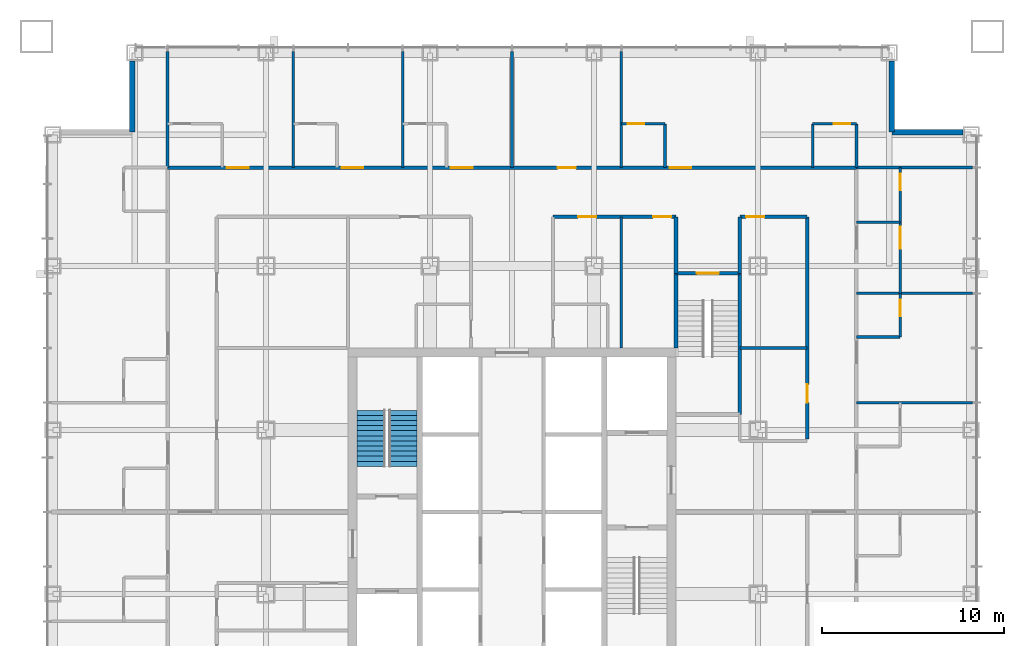
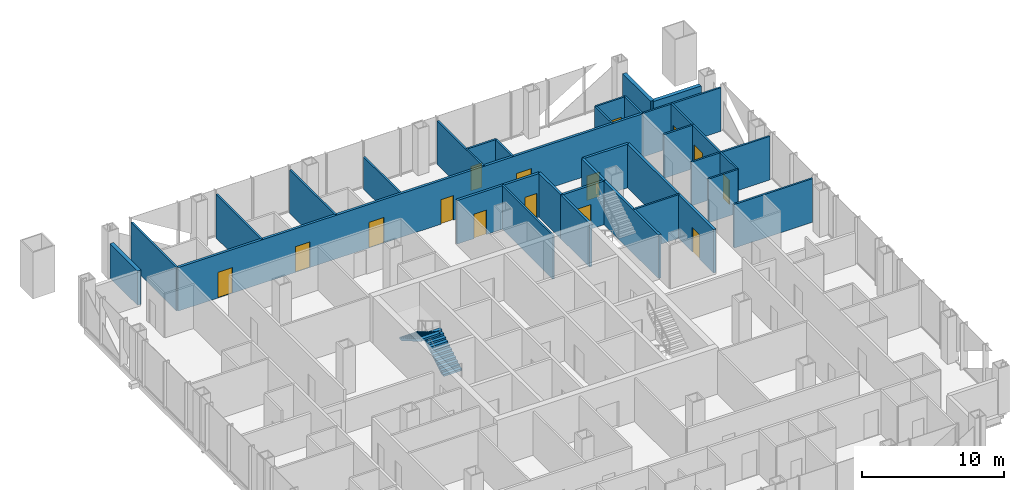
# One storey, part 11 of 17: 32 walls, 15 doors, 2 stair flights, 15 openings, 1 element without a shape of its own.
"""IFC4 building model written with IfcOpenShell, lengths in metres."""

from ifc_helpers import new_model, si_unit, direction, frame, frame_2d, origin, place, context, subcontext, project, spatial, polyline, rectangle, outline, extrude, material, layer, layer_set, type_object, element, fill, aggregate, save


model = new_model("IFC4")

# Units and contexts
model_context = context("Model", 3, precision=1e-05, world=origin(), true_north=direction((0.0, 1.0)))
body_context = subcontext(model_context, "Body", "Model", "MODEL_VIEW")
ifc_project = project(units=[si_unit("LENGTHUNIT", "METRE"), si_unit("AREAUNIT", "SQUARE_METRE"), si_unit("VOLUMEUNIT", "CUBIC_METRE"), si_unit("PLANEANGLEUNIT", "RADIAN"), si_unit("MASSUNIT", "GRAM", prefix="KILO")], contexts=[model_context])

# Site, building, storey
site_placement = place(None, origin())
site = spatial("IfcSite", under=ifc_project, at=site_placement, CompositionType="ELEMENT")
building_placement = place(site_placement, origin())
building = spatial("IfcBuilding", under=site, at=building_placement, Name="Malebo Sky Hospital", CompositionType="ELEMENT")
storey_placement = place(building_placement, frame((0.0, 0.0, 55.0)))
storey = spatial("IfcBuildingStorey", under=building, at=storey_placement, Name="L12", CompositionType="ELEMENT", Elevation=55.0)

# Wall, openings, doors
ifc_material_1 = material(Name="Gypsum board on steel studs", Category="steel")
ifc_layer_1 = layer(ifc_material_1, 0.199951171875)
ifc_layer_set_1 = layer_set([ifc_layer_1], Name="CORRIDOR WALL 200")
wall_type_1 = type_object("IfcWallType", Name="CORRIDOR WALL 200", PredefinedType="PARTITIONING", material=ifc_layer_set_1)
wall_1_placement = place(storey_placement, frame((41.10009765625, 80.89990234375, 0.0), z_axis=(0.0, 0.0, 1.0), x_axis=(1.0, 0.0, 0.0)))
wall_1 = element("IfcWall", 1, at=wall_1_placement, inside=storey, type_object=wall_type_1, Name="Corridor Wall 200 NCO", PredefinedType="PARTITIONING", context=body_context, shape_type="SweptSolid", body=[
    extrude(rectangle(XDim=37.7998046875, YDim=0.199951171875, at=frame_2d((18.89990234375, 0.0))), origin(), (0.0, 0.0, 1.0), 3.75),
])
opening_1_placement = place(wall_1_placement, frame((3.25, 0.0, 0.0)))
opening_1 = element("IfcOpeningElement", 2, at=opening_1_placement, cuts=wall_1, Name="Opening D01", PredefinedType="OPENING", context=body_context, shape_type="SweptSolid", body=[
    extrude(rectangle(XDim=1.199951171875, YDim=2.199951171875, at=frame_2d((0.60009765625, 1.10009765625))), frame((0.0, 0.10986328125, 0.0), z_axis=(0.0, -1.0, 0.0), x_axis=(1.0, 0.0, 0.0)), (0.0, 0.0, 1.0), 0.219970703125),
])
opening_2_placement = place(wall_1_placement, frame((9.550048828125, 0.0, 0.0)))
opening_2 = element("IfcOpeningElement", 3, at=opening_2_placement, cuts=wall_1, Name="Opening D01", PredefinedType="OPENING", context=body_context, shape_type="SweptSolid", body=[
    extrude(rectangle(XDim=1.199951171875, YDim=2.199951171875, at=frame_2d((0.60009765625, 1.10009765625))), frame((0.0, 0.10986328125, 0.0), z_axis=(0.0, -1.0, 0.0), x_axis=(1.0, 0.0, 0.0)), (0.0, 0.0, 1.0), 0.219970703125),
])
opening_3_placement = place(wall_1_placement, frame((15.550048828125, 0.0, 0.0)))
opening_3 = element("IfcOpeningElement", 4, at=opening_3_placement, cuts=wall_1, Name="Opening D01", PredefinedType="OPENING", context=body_context, shape_type="SweptSolid", body=[
    extrude(rectangle(XDim=1.199951171875, YDim=2.199951171875, at=frame_2d((0.60009765625, 1.10009765625))), frame((0.0, 0.10986328125, 0.0), z_axis=(0.0, -1.0, 0.0), x_axis=(1.0, 0.0, 0.0)), (0.0, 0.0, 1.0), 0.219970703125),
])
opening_4_placement = place(wall_1_placement, frame((21.39990234375, 0.0, 0.0)))
opening_4 = element("IfcOpeningElement", 5, at=opening_4_placement, cuts=wall_1, Name="Opening D03", PredefinedType="OPENING", context=body_context, shape_type="SweptSolid", body=[
    extrude(rectangle(XDim=1.0, YDim=2.10009765625, at=frame_2d((0.5, 1.050048828125))), frame((0.0, 0.10986328125, 0.0), z_axis=(0.0, -1.0, 0.0), x_axis=(1.0, 0.0, 0.0)), (0.0, 0.0, 1.0), 0.219970703125),
])
opening_5_placement = place(wall_1_placement, frame((27.550048828125, 0.0, 0.0)))
opening_5 = element("IfcOpeningElement", 6, at=opening_5_placement, cuts=wall_1, Name="Opening D01", PredefinedType="OPENING", context=body_context, shape_type="SweptSolid", body=[
    extrude(rectangle(XDim=1.199951171875, YDim=2.199951171875, at=frame_2d((0.60009765625, 1.10009765625))), frame((0.0, 0.10986328125, 0.0), z_axis=(0.0, -1.0, 0.0), x_axis=(1.0, 0.0, 0.0)), (0.0, 0.0, 1.0), 0.219970703125),
])
ifc_material_2 = material(Name="Hardwood-faced door leaf in steel frame", Category="steel")
door_type_1 = type_object("IfcDoorType", Name="BED DOOR 1200", OperationType="SINGLE_SWING_LEFT", PredefinedType="DOOR", material=ifc_material_2)
door_1_placement = place(opening_1_placement, origin())
door_1 = element("IfcDoor", 7, at=door_1_placement, inside=storey, type_object=door_type_1, Name="Two-bed room door", OperationType="SINGLE_SWING_LEFT", OverallHeight=2.199951171875, OverallWidth=1.199951171875, PredefinedType="DOOR", context=body_context, shape_type="SweptSolid", body=[
    extrude(rectangle(XDim=1.199951171875, YDim=2.199951171875, at=frame_2d((0.60009765625, 1.10009765625))), frame((0.0, 0.02490234375, 0.0), z_axis=(0.0, -1.0, 0.0), x_axis=(1.0, 0.0, 0.0)), (0.0, 0.0, 1.0), 0.050048828125),
])
fill(opening_1, door_1)
door_2_placement = place(opening_2_placement, origin())
door_2 = element("IfcDoor", 8, at=door_2_placement, inside=storey, type_object=door_type_1, Name="Two-bed room door", OperationType="SINGLE_SWING_LEFT", OverallHeight=2.199951171875, OverallWidth=1.199951171875, PredefinedType="DOOR", context=body_context, shape_type="SweptSolid", body=[
    extrude(rectangle(XDim=1.199951171875, YDim=2.199951171875, at=frame_2d((0.60009765625, 1.10009765625))), frame((0.0, 0.02490234375, 0.0), z_axis=(0.0, -1.0, 0.0), x_axis=(1.0, 0.0, 0.0)), (0.0, 0.0, 1.0), 0.050048828125),
])
fill(opening_2, door_2)
door_3_placement = place(opening_3_placement, origin())
door_3 = element("IfcDoor", 9, at=door_3_placement, inside=storey, type_object=door_type_1, Name="Two-bed room door", OperationType="SINGLE_SWING_LEFT", OverallHeight=2.199951171875, OverallWidth=1.199951171875, PredefinedType="DOOR", context=body_context, shape_type="SweptSolid", body=[
    extrude(rectangle(XDim=1.199951171875, YDim=2.199951171875, at=frame_2d((0.60009765625, 1.10009765625))), frame((0.0, 0.02490234375, 0.0), z_axis=(0.0, -1.0, 0.0), x_axis=(1.0, 0.0, 0.0)), (0.0, 0.0, 1.0), 0.050048828125),
])
fill(opening_3, door_3)
door_4_placement = place(opening_5_placement, origin())
door_4 = element("IfcDoor", 10, at=door_4_placement, inside=storey, type_object=door_type_1, Name="Four-bed bay door", OperationType="SINGLE_SWING_LEFT", OverallHeight=2.199951171875, OverallWidth=1.199951171875, PredefinedType="DOOR", context=body_context, shape_type="SweptSolid", body=[
    extrude(rectangle(XDim=1.199951171875, YDim=2.199951171875, at=frame_2d((0.60009765625, 1.10009765625))), frame((0.0, 0.02490234375, 0.0), z_axis=(0.0, -1.0, 0.0), x_axis=(1.0, 0.0, 0.0)), (0.0, 0.0, 1.0), 0.050048828125),
])
fill(opening_5, door_4)
door_type_2 = type_object("IfcDoorType", Name="ROOM DOOR 1000", OperationType="SINGLE_SWING_LEFT", PredefinedType="DOOR", material=ifc_material_2)
door_5_placement = place(opening_4_placement, origin())
door_5 = element("IfcDoor", 11, at=door_5_placement, inside=storey, type_object=door_type_2, Name="Patient day room door", OperationType="SINGLE_SWING_LEFT", OverallHeight=2.10009765625, OverallWidth=1.0, PredefinedType="DOOR", context=body_context, shape_type="SweptSolid", body=[
    extrude(rectangle(XDim=1.0, YDim=2.10009765625, at=frame_2d((0.5, 1.050048828125))), frame((0.0, 0.02490234375, 0.0), z_axis=(0.0, -1.0, 0.0), x_axis=(1.0, 0.0, 0.0)), (0.0, 0.0, 1.0), 0.050048828125),
])
fill(opening_4, door_5)

wall_2_placement = place(storey_placement, frame((62.25, 78.199951171875, 0.0), z_axis=(0.0, 0.0, 1.0), x_axis=(1.0, 0.0, 0.0)))
wall_2 = element("IfcWall", 12, at=wall_2_placement, inside=storey, type_object=wall_type_1, Name="Corridor Wall 200 NCI2", PredefinedType="PARTITIONING", context=body_context, shape_type="SweptSolid", body=[
    extrude(rectangle(XDim=6.75, YDim=0.199951171875, at=frame_2d((3.375, 0.0))), origin(), (0.0, 0.0, 1.0), 3.75),
])
opening_6_placement = place(wall_2_placement, frame((1.375, 0.0, 0.0)))
opening_6 = element("IfcOpeningElement", 13, at=opening_6_placement, cuts=wall_2, Name="Opening D03", PredefinedType="OPENING", context=body_context, shape_type="SweptSolid", body=[
    extrude(rectangle(XDim=1.0, YDim=2.10009765625, at=frame_2d((0.5, 1.050048828125))), frame((0.0, 0.10986328125, 0.0), z_axis=(0.0, -1.0, 0.0), x_axis=(1.0, 0.0, 0.0)), (0.0, 0.0, 1.0), 0.219970703125),
])
opening_7_placement = place(wall_2_placement, frame((5.5, 0.0, 0.0)))
opening_7 = element("IfcOpeningElement", 14, at=opening_7_placement, cuts=wall_2, Name="Opening D03", PredefinedType="OPENING", context=body_context, shape_type="SweptSolid", body=[
    extrude(rectangle(XDim=1.0, YDim=2.10009765625, at=frame_2d((0.5, 1.050048828125))), frame((0.0, 0.10986328125, 0.0), z_axis=(0.0, -1.0, 0.0), x_axis=(1.0, 0.0, 0.0)), (0.0, 0.0, 1.0), 0.219970703125),
])
door_6_placement = place(opening_6_placement, origin())
door_6 = element("IfcDoor", 15, at=door_6_placement, inside=storey, type_object=door_type_2, Name="Equipment store door", OperationType="SINGLE_SWING_LEFT", OverallHeight=2.10009765625, OverallWidth=1.0, PredefinedType="DOOR", context=body_context, shape_type="SweptSolid", body=[
    extrude(rectangle(XDim=1.0, YDim=2.10009765625, at=frame_2d((0.5, 1.050048828125))), frame((0.0, 0.02490234375, 0.0), z_axis=(0.0, -1.0, 0.0), x_axis=(1.0, 0.0, 0.0)), (0.0, 0.0, 1.0), 0.050048828125),
])
fill(opening_6, door_6)
door_7_placement = place(opening_7_placement, origin())
door_7 = element("IfcDoor", 16, at=door_7_placement, inside=storey, type_object=door_type_2, Name="Clean utility room door", OperationType="SINGLE_SWING_RIGHT", OverallHeight=2.10009765625, OverallWidth=1.0, PredefinedType="DOOR", context=body_context, shape_type="SweptSolid", body=[
    extrude(rectangle(XDim=1.0, YDim=2.10009765625, at=frame_2d((0.5, 1.050048828125))), frame((0.0, 0.02490234375, 0.0), z_axis=(0.0, -1.0, 0.0), x_axis=(1.0, 0.0, 0.0)), (0.0, 0.0, 1.0), 0.050048828125),
])
fill(opening_7, door_7)

# Wall, opening, door
wall_3_placement = place(storey_placement, frame((72.5, 78.199951171875, 0.0), z_axis=(0.0, 0.0, 1.0), x_axis=(1.0, 0.0, 0.0)))
wall_3 = element("IfcWall", 17, at=wall_3_placement, inside=storey, type_object=wall_type_1, Name="Corridor Wall 200 NCI2/2", PredefinedType="PARTITIONING", context=body_context, shape_type="SweptSolid", body=[
    extrude(rectangle(XDim=3.699951171875, YDim=0.199951171875, at=frame_2d((1.85009765625, 0.0))), origin(), (0.0, 0.0, 1.0), 3.75),
])
opening_8_placement = place(wall_3_placement, frame((0.35009765625, 0.0, 0.0)))
opening_8 = element("IfcOpeningElement", 18, at=opening_8_placement, cuts=wall_3, Name="Opening D03", PredefinedType="OPENING", context=body_context, shape_type="SweptSolid", body=[
    extrude(rectangle(XDim=1.0, YDim=2.10009765625, at=frame_2d((0.5, 1.050048828125))), frame((0.0, 0.10986328125, 0.0), z_axis=(0.0, -1.0, 0.0), x_axis=(1.0, 0.0, 0.0)), (0.0, 0.0, 1.0), 0.219970703125),
])
door_8_placement = place(opening_8_placement, origin())
door_8 = element("IfcDoor", 19, at=door_8_placement, inside=storey, type_object=door_type_2, Name="Staff base door", OperationType="SINGLE_SWING_LEFT", OverallHeight=2.10009765625, OverallWidth=1.0, PredefinedType="DOOR", context=body_context, shape_type="SweptSolid", body=[
    extrude(rectangle(XDim=1.0, YDim=2.10009765625, at=frame_2d((0.5, 1.050048828125))), frame((0.0, 0.02490234375, 0.0), z_axis=(0.0, -1.0, 0.0), x_axis=(1.0, 0.0, 0.0)), (0.0, 0.0, 1.0), 0.050048828125),
])
fill(opening_8, door_8)

wall_4_placement = place(storey_placement, frame((76.199951171875, 78.199951171875, 0.0), z_axis=(0.0, 0.0, 1.0), x_axis=(0.0, -1.0, 0.0)))
wall_4 = element("IfcWall", 20, at=wall_4_placement, inside=storey, type_object=wall_type_1, Name="Corridor Wall 200 ECI1", PredefinedType="PARTITIONING", context=body_context, shape_type="SweptSolid", body=[
    extrude(rectangle(XDim=12.199951171875, YDim=0.199951171875, at=frame_2d((6.10009765625, 0.0))), origin(), (0.0, 0.0, 1.0), 3.75),
])
opening_9_placement = place(wall_4_placement, frame((9.199951171875, 0.0, 0.0)))
opening_9 = element("IfcOpeningElement", 21, at=opening_9_placement, cuts=wall_4, Name="Opening D03", PredefinedType="OPENING", context=body_context, shape_type="SweptSolid", body=[
    extrude(rectangle(XDim=1.0, YDim=2.10009765625, at=frame_2d((0.5, 1.050048828125))), frame((0.0, 0.10986328125, 0.0), z_axis=(0.0, -1.0, 0.0), x_axis=(1.0, 0.0, 0.0)), (0.0, 0.0, 1.0), 0.219970703125),
])
door_9_placement = place(opening_9_placement, origin())
door_9 = element("IfcDoor", 22, at=door_9_placement, inside=storey, type_object=door_type_2, Name="Discharge lounge door", OperationType="SINGLE_SWING_LEFT", OverallHeight=2.10009765625, OverallWidth=1.0, PredefinedType="DOOR", context=body_context, shape_type="SweptSolid", body=[
    extrude(rectangle(XDim=1.0, YDim=2.10009765625, at=frame_2d((0.5, 1.050048828125))), frame((0.0, 0.02490234375, 0.0), z_axis=(0.0, -1.0, 0.0), x_axis=(1.0, 0.0, 0.0)), (0.0, 0.0, 1.0), 0.050048828125),
])
fill(opening_9, door_9)

# Walls
for number, where, z_axis, x_axis, name in (
    (23, (69.0, 75.10009765625, 0.0), (0.0, 0.0, 1.0), (0.0, 1.0, 0.0), "Corridor Wall 200 ST3AW"),
    (24, (72.5, 75.10009765625, 0.0), (0.0, 0.0, 1.0), (0.0, 1.0, 0.0), "Corridor Wall 200 ST3AE"),
):
    element("IfcWall", number, at=place(storey_placement, frame(where, z_axis=z_axis, x_axis=x_axis)), inside=storey, type_object=wall_type_1, Name=name, PredefinedType="PARTITIONING", context=body_context, shape_type="SweptSolid", body=[
        extrude(rectangle(XDim=3.099853515625, YDim=0.199951171875, at=frame_2d((1.5498046875, 0.0))), origin(), (0.0, 0.0, 1.0), 3.75),
    ])
ifc_material_3 = material(Name="Anodised aluminium rainscreen on steel framing", Category="steel")
ifc_layer_2 = layer(ifc_material_3, 0.300048828125)
ifc_layer_set_2 = layer_set([ifc_layer_2], Name="NOTCH RAINSCREEN WALL 300")
wall_type_2 = type_object("IfcWallType", Name="NOTCH RAINSCREEN WALL 300", PredefinedType="ELEMENTEDWALL", material=ifc_layer_set_2)
for number, where, z_axis, x_axis, name in (
    (25, (80.85009765625, 86.75, 0.0), (0.0, 0.0, 1.0), (0.0, -1.0, 0.0), "Notch rainscreen wall N1 L12"),
    (26, (80.85009765625, 82.85009765625, 0.0), (0.0, 0.0, 1.0), (1.0, 0.0, 0.0), "Notch rainscreen wall N2 L12"),
    (27, (39.14990234375, 82.85009765625, 0.0), (0.0, 0.0, 1.0), (0.0, 1.0, 0.0), "Notch rainscreen wall W2 L12"),
):
    element("IfcWall", number, at=place(storey_placement, frame(where, z_axis=z_axis, x_axis=x_axis)), inside=storey, type_object=wall_type_2, Name=name, PredefinedType="ELEMENTEDWALL", context=body_context, shape_type="SweptSolid", body=[
        extrude(rectangle(XDim=3.89990234375, YDim=0.300048828125, at=frame_2d((1.949951171875, 0.0))), origin(), (0.0, 0.0, 1.0), 2.949951171875),
    ])
ifc_layer_3 = layer(ifc_material_1, 0.14990234375)
ifc_layer_set_3 = layer_set([ifc_layer_3], Name="PARTITION 150")
wall_type_3 = type_object("IfcWallType", Name="PARTITION 150", PredefinedType="PARTITIONING", material=ifc_layer_set_3)
for number, where, z_axis, x_axis, name in (
    (28, (48.0, 80.89990234375, 0.0), (0.0, 0.0, 1.0), (0.0, 1.0, 0.0), "Partition 150 NP-12.0"),
    (29, (54.0, 80.89990234375, 0.0), (0.0, 0.0, 1.0), (0.0, 1.0, 0.0), "Partition 150 NP-6.0"),
):
    element("IfcWall", number, at=place(storey_placement, frame(where, z_axis=z_axis, x_axis=x_axis)), inside=storey, type_object=wall_type_3, Name=name, PredefinedType="PARTITIONING", context=body_context, shape_type="SweptSolid", body=[
        extrude(rectangle(XDim=6.375, YDim=0.14990234375, at=frame_2d((3.1875, 0.0))), origin(), (0.0, 0.0, 1.0), 3.75),
    ])
wall_5_placement = place(storey_placement, frame((60.0, 80.89990234375, 0.0), z_axis=(0.0, 0.0, 1.0), x_axis=(0.0, 1.0, 0.0)))
element("IfcWall", 30, at=wall_5_placement, inside=storey, type_object=wall_type_3, Name="Partition 150 NP+0.0", PredefinedType="PARTITIONING", context=body_context, shape_type="SweptSolid", body=[
    extrude(rectangle(XDim=6.375, YDim=0.14990234375, at=frame_2d((3.1875, 0.0))), origin(), (0.0, 0.0, 1.0), 2.75),
])
for number, where, z_axis, x_axis, name in (
    (31, (66.0, 80.89990234375, 0.0), (0.0, 0.0, 1.0), (0.0, 1.0, 0.0), "Partition 150 NP+6.0"),
    (32, (41.10009765625, 80.89990234375, 0.0), (0.0, 0.0, 1.0), (0.0, 1.0, 0.0), "Partition 150 NP0"),
):
    element("IfcWall", number, at=place(storey_placement, frame(where, z_axis=z_axis, x_axis=x_axis)), inside=storey, type_object=wall_type_3, Name=name, PredefinedType="PARTITIONING", context=body_context, shape_type="SweptSolid", body=[
        extrude(rectangle(XDim=6.375, YDim=0.14990234375, at=frame_2d((3.1875, 0.0))), origin(), (0.0, 0.0, 1.0), 3.75),
    ])

# Wall, opening, door
wall_6_placement = place(storey_placement, frame((66.0, 83.300048828125, 0.0), z_axis=(0.0, 0.0, 1.0), x_axis=(1.0, 0.0, 0.0)))
wall_6 = element("IfcWall", 33, at=wall_6_placement, inside=storey, type_object=wall_type_3, Name="Partition 150 NE4F", PredefinedType="PARTITIONING", context=body_context, shape_type="SweptSolid", body=[
    extrude(rectangle(XDim=2.39990234375, YDim=0.14990234375, at=frame_2d((1.199951171875, 0.0))), origin(), (0.0, 0.0, 1.0), 3.75),
])
opening_10_placement = place(wall_6_placement, frame((0.35009765625, 0.0, 0.0)))
opening_10 = element("IfcOpeningElement", 34, at=opening_10_placement, cuts=wall_6, Name="Opening D02", PredefinedType="OPENING", context=body_context, shape_type="SweptSolid", body=[
    extrude(rectangle(XDim=0.89990234375, YDim=2.10009765625, at=frame_2d((0.449951171875, 1.050048828125))), frame((0.0, 0.0849609375, 0.0), z_axis=(0.0, -1.0, 0.0), x_axis=(1.0, 0.0, 0.0)), (0.0, 0.0, 1.0), 0.169921875),
])
door_type_3 = type_object("IfcDoorType", Name="EN-SUITE DOOR 900", OperationType="SINGLE_SWING_LEFT", PredefinedType="DOOR", material=ifc_material_2)
door_10_placement = place(opening_10_placement, origin())
door_10 = element("IfcDoor", 35, at=door_10_placement, inside=storey, type_object=door_type_3, Name="En-suite door", OperationType="SINGLE_SWING_LEFT", OverallHeight=2.10009765625, OverallWidth=0.89990234375, PredefinedType="DOOR", context=body_context, shape_type="SweptSolid", body=[
    extrude(rectangle(XDim=0.89990234375, YDim=2.10009765625, at=frame_2d((0.449951171875, 1.050048828125))), frame((0.0, 0.02490234375, 0.0), z_axis=(0.0, -1.0, 0.0), x_axis=(1.0, 0.0, 0.0)), (0.0, 0.0, 1.0), 0.050048828125),
])
fill(opening_10, door_10)

# Wall
wall_7_placement = place(storey_placement, frame((68.39990234375, 80.89990234375, 0.0), z_axis=(0.0, 0.0, 1.0), x_axis=(0.0, 1.0, 0.0)))
element("IfcWall", 36, at=wall_7_placement, inside=storey, type_object=wall_type_3, Name="Partition 150 NE4S", PredefinedType="PARTITIONING", context=body_context, shape_type="SweptSolid", body=[
    extrude(rectangle(XDim=2.400146484375, YDim=0.14990234375, at=frame_2d((1.2001953125, 0.0))), origin(), (0.0, 0.0, 1.0), 3.75),
])

# Wall, opening, door
wall_8_placement = place(storey_placement, frame((76.5, 83.300048828125, 0.0), z_axis=(0.0, 0.0, 1.0), x_axis=(1.0, 0.0, 0.0)))
wall_8 = element("IfcWall", 37, at=wall_8_placement, inside=storey, type_object=wall_type_3, Name="Partition 150 NG4F", PredefinedType="PARTITIONING", context=body_context, shape_type="SweptSolid", body=[
    extrude(rectangle(XDim=2.39990234375, YDim=0.14990234375, at=frame_2d((1.199951171875, 0.0))), origin(), (0.0, 0.0, 1.0), 3.75),
])
opening_11_placement = place(wall_8_placement, frame((1.14990234375, 0.0, 0.0)))
opening_11 = element("IfcOpeningElement", 38, at=opening_11_placement, cuts=wall_8, Name="Opening D02", PredefinedType="OPENING", context=body_context, shape_type="SweptSolid", body=[
    extrude(rectangle(XDim=0.89990234375, YDim=2.10009765625, at=frame_2d((0.449951171875, 1.050048828125))), frame((0.0, 0.0849609375, 0.0), z_axis=(0.0, -1.0, 0.0), x_axis=(1.0, 0.0, 0.0)), (0.0, 0.0, 1.0), 0.169921875),
])
door_11_placement = place(opening_11_placement, origin())
door_11 = element("IfcDoor", 39, at=door_11_placement, inside=storey, type_object=door_type_3, Name="En-suite door", OperationType="SINGLE_SWING_RIGHT", OverallHeight=2.10009765625, OverallWidth=0.89990234375, PredefinedType="DOOR", context=body_context, shape_type="SweptSolid", body=[
    extrude(rectangle(XDim=0.89990234375, YDim=2.10009765625, at=frame_2d((0.449951171875, 1.050048828125))), frame((0.0, 0.02490234375, 0.0), z_axis=(0.0, -1.0, 0.0), x_axis=(1.0, 0.0, 0.0)), (0.0, 0.0, 1.0), 0.050048828125),
])
fill(opening_11, door_11)

# Walls
for number, where, z_axis, x_axis, name in (
    (40, (76.5, 80.89990234375, 0.0), (0.0, 0.0, 1.0), (0.0, 1.0, 0.0), "Partition 150 NG4S"),
    (41, (78.89990234375, 80.89990234375, 0.0), (0.0, 0.0, 1.0), (0.0, 1.0, 0.0), "Partition 150 NEZ"),
):
    element("IfcWall", number, at=place(storey_placement, frame(where, z_axis=z_axis, x_axis=x_axis)), inside=storey, type_object=wall_type_3, Name=name, PredefinedType="PARTITIONING", context=body_context, shape_type="SweptSolid", body=[
        extrude(rectangle(XDim=2.400146484375, YDim=0.14990234375, at=frame_2d((1.2001953125, 0.0))), origin(), (0.0, 0.0, 1.0), 3.75),
    ])
wall_9_placement = place(storey_placement, frame((66.0, 71.0, 0.0), z_axis=(0.0, 0.0, 1.0), x_axis=(0.0, 1.0, 0.0)))
element("IfcWall", 42, at=wall_9_placement, inside=storey, type_object=wall_type_3, Name="Partition 150 NSP+6.0", PredefinedType="PARTITIONING", context=body_context, shape_type="SweptSolid", body=[
    extrude(rectangle(XDim=7.199951171875, YDim=0.14990234375, at=frame_2d((3.60009765625, 0.0))), origin(), (0.0, 0.0, 1.0), 3.75),
])
for number, where, z_axis, x_axis, name in (
    (43, (78.89990234375, 74.0, 0.0), (0.0, 0.0, 1.0), (1.0, 0.0, 0.0), "Partition 150 EP-12.0"),
    (44, (78.89990234375, 68.0, 0.0), (0.0, 0.0, 1.0), (1.0, 0.0, 0.0), "Partition 150 EP-6.0"),
    (45, (78.89990234375, 80.89990234375, 0.0), (0.0, 0.0, 1.0), (1.0, 0.0, 0.0), "Partition 150 EP0"),
):
    element("IfcWall", number, at=place(storey_placement, frame(where, z_axis=z_axis, x_axis=x_axis)), inside=storey, type_object=wall_type_3, Name=name, PredefinedType="PARTITIONING", context=body_context, shape_type="SweptSolid", body=[
        extrude(rectangle(XDim=6.375, YDim=0.14990234375, at=frame_2d((3.1875, 0.0))), origin(), (0.0, 0.0, 1.0), 3.75),
    ])

# Wall, opening, door
wall_10_placement = place(storey_placement, frame((81.300048828125, 80.89990234375, 0.0), z_axis=(0.0, 0.0, 1.0), x_axis=(0.0, -1.0, 0.0)))
wall_10 = element("IfcWall", 46, at=wall_10_placement, inside=storey, type_object=wall_type_3, Name="Partition 150 EE0F", PredefinedType="PARTITIONING", context=body_context, shape_type="SweptSolid", body=[
    extrude(rectangle(XDim=3.0, YDim=0.14990234375, at=frame_2d((1.5, 0.0))), origin(), (0.0, 0.0, 1.0), 3.75),
])
opening_12_placement = place(wall_10_placement, frame((0.35009765625, 0.0, 0.0)))
opening_12 = element("IfcOpeningElement", 47, at=opening_12_placement, cuts=wall_10, Name="Opening D02", PredefinedType="OPENING", context=body_context, shape_type="SweptSolid", body=[
    extrude(rectangle(XDim=0.89990234375, YDim=2.10009765625, at=frame_2d((0.449951171875, 1.050048828125))), frame((0.0, 0.0849609375, 0.0), z_axis=(0.0, -1.0, 0.0), x_axis=(1.0, 0.0, 0.0)), (0.0, 0.0, 1.0), 0.169921875),
])
door_12_placement = place(opening_12_placement, origin())
door_12 = element("IfcDoor", 48, at=door_12_placement, inside=storey, type_object=door_type_3, Name="En-suite door", OperationType="SINGLE_SWING_LEFT", OverallHeight=2.10009765625, OverallWidth=0.89990234375, PredefinedType="DOOR", context=body_context, shape_type="SweptSolid", body=[
    extrude(rectangle(XDim=0.89990234375, YDim=2.10009765625, at=frame_2d((0.449951171875, 1.050048828125))), frame((0.0, 0.02490234375, 0.0), z_axis=(0.0, -1.0, 0.0), x_axis=(1.0, 0.0, 0.0)), (0.0, 0.0, 1.0), 0.050048828125),
])
fill(opening_12, door_12)

# Wall
wall_11_placement = place(storey_placement, frame((78.89990234375, 77.89990234375, 0.0), z_axis=(0.0, 0.0, 1.0), x_axis=(1.0, 0.0, 0.0)))
element("IfcWall", 49, at=wall_11_placement, inside=storey, type_object=wall_type_3, Name="Partition 150 EE0S", PredefinedType="PARTITIONING", context=body_context, shape_type="SweptSolid", body=[
    extrude(rectangle(XDim=2.400146484375, YDim=0.14990234375, at=frame_2d((1.2001953125, 0.0))), origin(), (0.0, 0.0, 1.0), 3.75),
])

# Wall, opening, door
wall_12_placement = place(storey_placement, frame((81.300048828125, 74.0, 0.0), z_axis=(0.0, 0.0, 1.0), x_axis=(0.0, -1.0, 0.0)))
wall_12 = element("IfcWall", 50, at=wall_12_placement, inside=storey, type_object=wall_type_3, Name="Partition 150 EE1F", PredefinedType="PARTITIONING", context=body_context, shape_type="SweptSolid", body=[
    extrude(rectangle(XDim=2.39990234375, YDim=0.14990234375, at=frame_2d((1.199951171875, 0.0))), origin(), (0.0, 0.0, 1.0), 3.75),
])
opening_13_placement = place(wall_12_placement, frame((0.35009765625, 0.0, 0.0)))
opening_13 = element("IfcOpeningElement", 51, at=opening_13_placement, cuts=wall_12, Name="Opening D02", PredefinedType="OPENING", context=body_context, shape_type="SweptSolid", body=[
    extrude(rectangle(XDim=0.89990234375, YDim=2.10009765625, at=frame_2d((0.449951171875, 1.050048828125))), frame((0.0, 0.0849609375, 0.0), z_axis=(0.0, -1.0, 0.0), x_axis=(1.0, 0.0, 0.0)), (0.0, 0.0, 1.0), 0.169921875),
])
door_13_placement = place(opening_13_placement, origin())
door_13 = element("IfcDoor", 52, at=door_13_placement, inside=storey, type_object=door_type_3, Name="En-suite door", OperationType="SINGLE_SWING_LEFT", OverallHeight=2.10009765625, OverallWidth=0.89990234375, PredefinedType="DOOR", context=body_context, shape_type="SweptSolid", body=[
    extrude(rectangle(XDim=0.89990234375, YDim=2.10009765625, at=frame_2d((0.449951171875, 1.050048828125))), frame((0.0, 0.02490234375, 0.0), z_axis=(0.0, -1.0, 0.0), x_axis=(1.0, 0.0, 0.0)), (0.0, 0.0, 1.0), 0.050048828125),
])
fill(opening_13, door_13)

# Walls
wall_13_placement = place(storey_placement, frame((78.89990234375, 71.60009765625, 0.0), z_axis=(0.0, 0.0, 1.0), x_axis=(1.0, 0.0, 0.0)))
element("IfcWall", 53, at=wall_13_placement, inside=storey, type_object=wall_type_3, Name="Partition 150 EE1S", PredefinedType="PARTITIONING", context=body_context, shape_type="SweptSolid", body=[
    extrude(rectangle(XDim=2.400146484375, YDim=0.14990234375, at=frame_2d((1.2001953125, 0.0))), origin(), (0.0, 0.0, 1.0), 3.75),
])
wall_14_placement = place(storey_placement, frame((72.5, 71.0, 0.0), z_axis=(0.0, 0.0, 1.0), x_axis=(1.0, 0.0, 0.0)))
element("IfcWall", 54, at=wall_14_placement, inside=storey, type_object=wall_type_3, Name="Partition 150 ESP0", PredefinedType="PARTITIONING", context=body_context, shape_type="SweptSolid", body=[
    extrude(rectangle(XDim=3.699951171875, YDim=0.14990234375, at=frame_2d((1.85009765625, 0.0))), origin(), (0.0, 0.0, 1.0), 3.75),
])

# Wall, opening, door
ifc_material_4 = material(Name="Sealed gypsum board on steel studs, taped to the slab", Category="steel")
ifc_layer_4 = layer(ifc_material_4, 0.14990234375)
ifc_layer_set_4 = layer_set([ifc_layer_4], Name="SEALED ISOLATION PARTITION 150")
wall_type_4 = type_object("IfcWallType", Name="SEALED ISOLATION PARTITION 150", PredefinedType="PARTITIONING", material=ifc_layer_set_4)
wall_15_placement = place(storey_placement, frame((81.300048828125, 77.89990234375, 0.0), z_axis=(0.0, 0.0, 1.0), x_axis=(0.0, -1.0, 0.0)))
wall_15 = element("IfcWall", 55, at=wall_15_placement, inside=storey, type_object=wall_type_4, Name="Sealed Isolation Partition 150 EA0F", PredefinedType="PARTITIONING", context=body_context, shape_type="SweptSolid", body=[
    extrude(rectangle(XDim=3.89990234375, YDim=0.14990234375, at=frame_2d((1.949951171875, 0.0))), origin(), (0.0, 0.0, 1.0), 3.75),
])
opening_14_placement = place(wall_15_placement, frame((0.25, 0.0, 0.0)))
opening_14 = element("IfcOpeningElement", 56, at=opening_14_placement, cuts=wall_15, Name="Opening D19", PredefinedType="OPENING", context=body_context, shape_type="SweptSolid", body=[
    extrude(rectangle(XDim=1.199951171875, YDim=2.199951171875, at=frame_2d((0.60009765625, 1.10009765625))), frame((0.0, 0.0849609375, 0.0), z_axis=(0.0, -1.0, 0.0), x_axis=(1.0, 0.0, 0.0)), (0.0, 0.0, 1.0), 0.169921875),
])
ifc_material_5 = material(Name="Hardwood-faced door leaf with perimeter seals in steel frame", Category="steel")
door_type_4 = type_object("IfcDoorType", Name="SEALED ISOLATION ROOM DOOR 1200", OperationType="SINGLE_SWING_LEFT", PredefinedType="DOOR", material=ifc_material_5)
door_14_placement = place(opening_14_placement, origin())
door_14 = element("IfcDoor", 57, at=door_14_placement, inside=storey, type_object=door_type_4, Name="Isolation room door", OperationType="SINGLE_SWING_LEFT", OverallHeight=2.199951171875, OverallWidth=1.199951171875, PredefinedType="DOOR", context=body_context, shape_type="SweptSolid", body=[
    extrude(rectangle(XDim=1.199951171875, YDim=2.199951171875, at=frame_2d((0.60009765625, 1.10009765625))), frame((0.0, 0.02490234375, 0.0), z_axis=(0.0, -1.0, 0.0), x_axis=(1.0, 0.0, 0.0)), (0.0, 0.0, 1.0), 0.050048828125),
])
fill(opening_14, door_14)

# Walls
ifc_material_6 = material(Name="Concrete C40/50", Category="concrete")
ifc_layer_5 = layer(ifc_material_6, 0.199951171875)
ifc_layer_set_5 = layer_set([ifc_layer_5], Name="STAIR ENCLOSURE WALL 200")
wall_type_5 = type_object("IfcWallType", Name="STAIR ENCLOSURE WALL 200", PredefinedType="SOLIDWALL", material=ifc_layer_set_5)
wall_16_placement = place(storey_placement, frame((69.0, 71.0, 0.0), z_axis=(0.0, 0.0, 1.0), x_axis=(0.0, 1.0, 0.0)))
element("IfcWall", 58, at=wall_16_placement, inside=storey, type_object=wall_type_5, Name="Stair Enclosure Wall 200 ST3W", PredefinedType="SOLIDWALL", context=body_context, shape_type="SweptSolid", body=[
    extrude(rectangle(XDim=4.10009765625, YDim=0.199951171875, at=frame_2d((2.050048828125, 0.0))), origin(), (0.0, 0.0, 1.0), 3.75),
])
wall_17_placement = place(storey_placement, frame((72.5, 67.35009765625, 0.0), z_axis=(0.0, 0.0, 1.0), x_axis=(0.0, 1.0, 0.0)))
element("IfcWall", 59, at=wall_17_placement, inside=storey, type_object=wall_type_5, Name="Stair Enclosure Wall 200 ST3E", PredefinedType="SOLIDWALL", context=body_context, shape_type="SweptSolid", body=[
    extrude(rectangle(XDim=7.75, YDim=0.199951171875, at=frame_2d((3.875, 0.0))), origin(), (0.0, 0.0, 1.0), 3.75),
])

# Wall, opening, door
wall_18_placement = place(storey_placement, frame((69.0, 75.10009765625, 0.0), z_axis=(0.0, 0.0, 1.0), x_axis=(1.0, 0.0, 0.0)))
wall_18 = element("IfcWall", 60, at=wall_18_placement, inside=storey, type_object=wall_type_5, Name="Stair Enclosure Wall 200 ST3N", PredefinedType="SOLIDWALL", context=body_context, shape_type="SweptSolid", body=[
    extrude(rectangle(XDim=3.5, YDim=0.199951171875, at=frame_2d((1.75, 0.0))), origin(), (0.0, 0.0, 1.0), 3.75),
])
opening_15_placement = place(wall_18_placement, frame((1.14990234375, 0.0, 0.0)))
opening_15 = element("IfcOpeningElement", 61, at=opening_15_placement, cuts=wall_18, Name="Opening D08", PredefinedType="OPENING", context=body_context, shape_type="SweptSolid", body=[
    extrude(rectangle(XDim=1.199951171875, YDim=2.10009765625, at=frame_2d((0.60009765625, 1.050048828125))), frame((0.0, 0.10986328125, 0.0), z_axis=(0.0, -1.0, 0.0), x_axis=(1.0, 0.0, 0.0)), (0.0, 0.0, 1.0), 0.219970703125),
])
door_type_5 = type_object("IfcDoorType", Name="STAIR DOOR 1200", OperationType="SINGLE_SWING_LEFT", PredefinedType="DOOR", material=ifc_material_2)
door_15_placement = place(opening_15_placement, origin())
door_15 = element("IfcDoor", 62, at=door_15_placement, inside=storey, type_object=door_type_5, Name="Stair S3 door", OperationType="SINGLE_SWING_LEFT", OverallHeight=2.10009765625, OverallWidth=1.199951171875, PredefinedType="DOOR", context=body_context, shape_type="SweptSolid", body=[
    extrude(rectangle(XDim=1.199951171875, YDim=2.10009765625, at=frame_2d((0.60009765625, 1.050048828125))), frame((0.0, 0.02490234375, 0.0), z_axis=(0.0, -1.0, 0.0), x_axis=(1.0, 0.0, 0.0)), (0.0, 0.0, 1.0), 0.050048828125),
])
fill(opening_15, door_15)

# Stair, stair flights
stair_type = type_object("IfcStairType", Name="HALF-TURN STAIR 1500 R167", PredefinedType="HALF_TURN_STAIR", material=ifc_material_6)
stair_placement = place(storey_placement, origin())
stair = element("IfcStair", 63, at=stair_placement, inside=storey, type_object=stair_type, Name="Stair S1 L12 type ST1", PredefinedType="HALF_TURN_STAIR")
stair_flight_type = type_object("IfcStairFlightType", Name="STAIR FLIGHT 1500 R167", PredefinedType="STRAIGHT", material=ifc_material_6)
stair_flight_1_placement = place(storey_placement, frame((54.050048828125, 64.5, 0.0), z_axis=(0.0, 0.0, 1.0), x_axis=(0.0, 1.0, 0.0)))
stair_flight_1 = element("IfcStairFlight", 64, at=stair_flight_1_placement, type_object=stair_flight_type, Name="S1 flight 1 type SF1", NumberOfRisers=12, NumberOfTreads=11, PredefinedType="STRAIGHT", RiserHeight=0.166666667, TreadLength=0.28, context=body_context, shape_type="SweptSolid", body=[
    extrude(outline(polyline([(0.0, 0.0), (0.0, 0.166748046875), (0.280029296875, 0.166748046875), (0.280029296875, 0.333251953125), (0.56005859375, 0.333251953125), (0.56005859375, 0.5), (0.840087890625, 0.5), (0.840087890625, 0.666748046875), (1.1201171875, 0.666748046875), (1.1201171875, 0.833251953125), (1.39990234375, 0.833251953125), (1.39990234375, 1.0), (1.679931640625, 1.0), (1.679931640625, 1.166748046875), (1.9599609375, 1.166748046875), (1.9599609375, 1.333251953125), (2.239990234375, 1.333251953125), (2.239990234375, 1.5), (2.52001953125, 1.5), (2.52001953125, 1.666748046875), (2.800048828125, 1.666748046875), (2.800048828125, 1.833251953125), (3.080078125, 1.833251953125), (3.080078125, 2.0), (3.080078125, 1.658935546875), (0.29296875, 0.0), (0.0, 0.0)])), frame((0.0, 0.75, 0.0), z_axis=(0.0, -1.0, 0.0), x_axis=(1.0, 0.0, 0.0)), (0.0, 0.0, 1.0), 1.5),
])
stair_flight_2_placement = place(storey_placement, frame((52.25, 67.580078125, 2.0), z_axis=(0.0, 0.0, 1.0), x_axis=(0.0, -1.0, 0.0)))
stair_flight_2 = element("IfcStairFlight", 65, at=stair_flight_2_placement, type_object=stair_flight_type, Name="S1 flight 2 type SF1", NumberOfRisers=12, NumberOfTreads=11, PredefinedType="STRAIGHT", RiserHeight=0.166666667, TreadLength=0.28, context=body_context, shape_type="SweptSolid", body=[
    extrude(outline(polyline([(0.0, 0.0), (0.0, 0.166748046875), (0.280029296875, 0.166748046875), (0.280029296875, 0.333251953125), (0.56005859375, 0.333251953125), (0.56005859375, 0.5), (0.840087890625, 0.5), (0.840087890625, 0.666748046875), (1.1201171875, 0.666748046875), (1.1201171875, 0.833251953125), (1.39990234375, 0.833251953125), (1.39990234375, 1.0), (1.679931640625, 1.0), (1.679931640625, 1.166748046875), (1.9599609375, 1.166748046875), (1.9599609375, 1.333251953125), (2.239990234375, 1.333251953125), (2.239990234375, 1.5), (2.52001953125, 1.5), (2.52001953125, 1.666748046875), (2.800048828125, 1.666748046875), (2.800048828125, 1.833251953125), (3.080078125, 1.833251953125), (3.080078125, 2.0), (3.080078125, 1.658935546875), (0.29296875, 0.0), (0.0, 0.0)])), frame((0.0, 0.75, 0.0), z_axis=(0.0, -1.0, 0.0), x_axis=(1.0, 0.0, 0.0)), (0.0, 0.0, 1.0), 1.5),
])
aggregate(stair, [stair_flight_1, stair_flight_2])

save(model, "model.ifc")
